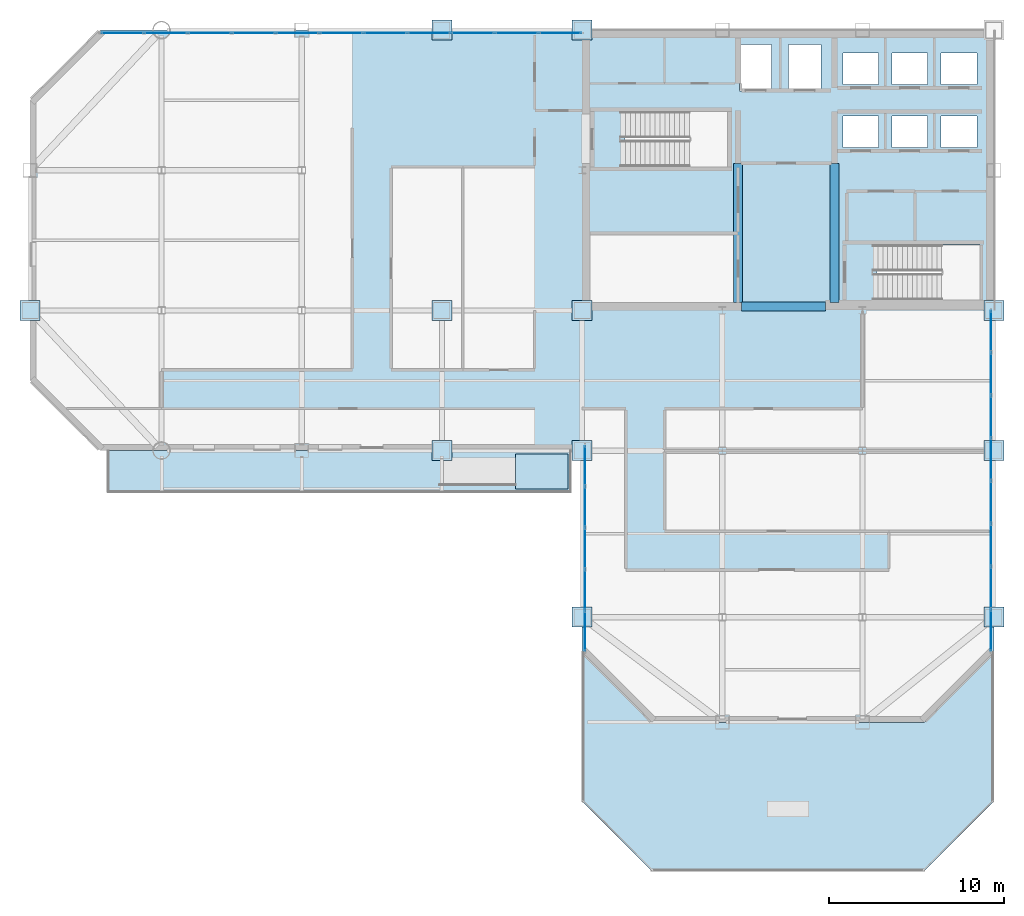
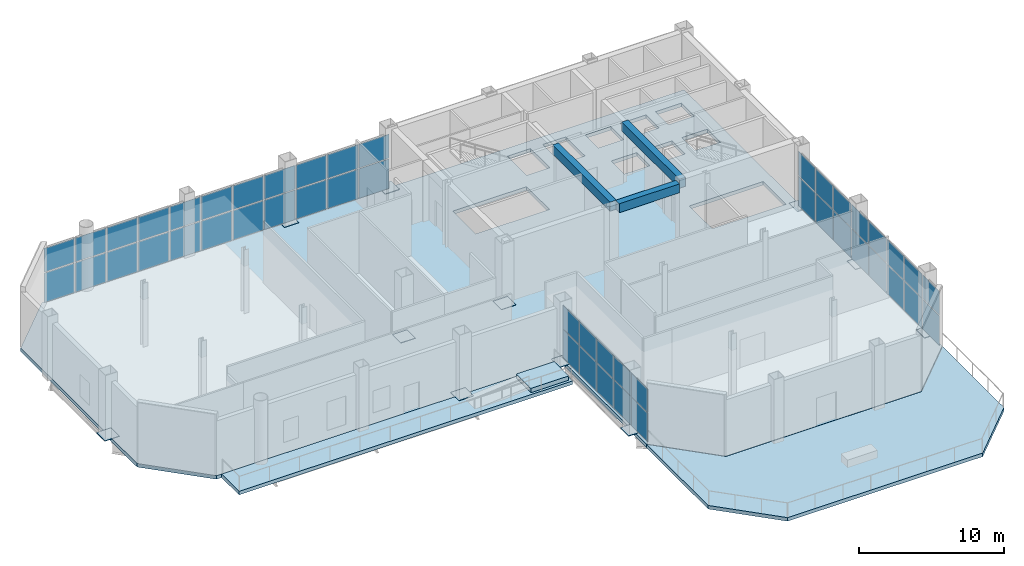
# One storey, part 16 of 21: 59 plates, 4 slabs, 3 beams, 4 elements without a shape of their own.
"""IFC4 building model written with IfcOpenShell, lengths in metres."""

from ifc_helpers import new_model, si_unit, direction, frame, origin, origin_2d, place, context, subcontext, project, spatial, polyline, rectangle, outline, extrude, material, layer, layer_set, material_profile, profile_set, type_object, element, aggregate, save


model = new_model("IFC4")

# Units and contexts
model_context = context("Model", 3, precision=1e-05, world=origin(), true_north=direction((0.0, 1.0)))
body_context = subcontext(model_context, "Body", "Model", "MODEL_VIEW")
ifc_project = project(units=[si_unit("LENGTHUNIT", "METRE"), si_unit("AREAUNIT", "SQUARE_METRE"), si_unit("VOLUMEUNIT", "CUBIC_METRE"), si_unit("PLANEANGLEUNIT", "RADIAN"), si_unit("MASSUNIT", "GRAM", prefix="KILO")], contexts=[model_context])

# Site, building, storey
site_placement = place(None, origin())
site = spatial("IfcSite", under=ifc_project, at=site_placement, CompositionType="ELEMENT")
building_placement = place(site_placement, origin())
building = spatial("IfcBuilding", under=site, at=building_placement, Name="Qianrong Seaharbour Tower", CompositionType="ELEMENT")
storey_placement = place(building_placement, frame((0.0, 0.0, 200.39990234375)))
storey = spatial("IfcBuildingStorey", under=building, at=storey_placement, Name="L48", CompositionType="ELEMENT", Elevation=200.39990234375)

# Beams
ifc_material_1 = material(Name="Concrete C60/75", Category="concrete")
ifc_material_profile = material_profile(ifc_material_1, rectangle(XDim=0.5, YDim=0.75, at=origin_2d()), Name="RC500x750")
ifc_profile_set = profile_set([ifc_material_profile], Name="Concrete C60/75")
beam_type = type_object("IfcBeamType", Name="BM-LINTEL-750", PredefinedType="LINTEL", material=ifc_profile_set)
beam_placement = place(storey_placement, frame((49.60009765625, 36.22998046875, 4.800048828125), z_axis=(1.0, 0.0, 0.0), x_axis=(0.0, 1.0, 0.0)))
element("IfcBeam", 1, at=beam_placement, inside=storey, type_object=beam_type, Name="L48 Core Coupling Lintel Beam CBC", PredefinedType="LINTEL", context=body_context, shape_type="SweptSolid", body=[
    extrude(rectangle(XDim=0.5, YDim=0.75, at=origin_2d()), origin(), (0.0, 0.0, 1.0), 4.7998046875),
])
for number, where, z_axis, x_axis, name in (
    (2, (49.39990234375, 36.4599609375, 4.800048828125), (0.0, 1.0, 0.0), (-1.0, 0.0, 0.0), "L48 Internal Core Coupling Beam IW1"),
    (3, (54.89990234375, 36.4599609375, 4.800048828125), (0.0, 1.0, 0.0), (-1.0, 0.0, 0.0), "L48 Internal Core Coupling Beam IW2"),
):
    element("IfcBeam", number, at=place(storey_placement, frame(where, z_axis=z_axis, x_axis=x_axis)), inside=storey, type_object=beam_type, Name=name, PredefinedType="LINTEL", context=body_context, shape_type="SweptSolid", body=[
        extrude(rectangle(XDim=0.5, YDim=0.75, at=origin_2d()), origin(), (0.0, 0.0, 1.0), 7.93994140625),
    ])

# Curtain wall, plates
ifc_material_2 = material(Name="Anodised aluminium 6063-T6 and laminated low-e glass", Category="aluminium")
ifc_layer_1 = layer(ifc_material_2, 0.2099609375)
ifc_layer_set_1 = layer_set([ifc_layer_1], Name="Anodised aluminium 6063-T6 and laminated low-e glass")
curtain_wall_type = type_object("IfcCurtainWallType", Name="CW-SYS-2", PredefinedType="NOTDEFINED", material=ifc_layer_set_1)
curtain_wall_1_placement = place(storey_placement, origin())
curtain_wall_1 = element("IfcCurtainWall", 4, at=curtain_wall_1_placement, inside=storey, type_object=curtain_wall_type, Name="L48 Sky-Lobby Feature Curtain Wall REENTRANT_WEST", PredefinedType="NOTDEFINED")
ifc_material_3 = material(Name="Laminated solar-control low-e glass", Category="glass")
ifc_layer_2 = layer(ifc_material_3, 0.031982421875)
ifc_layer_set_2 = layer_set([ifc_layer_2], Name="Laminated solar-control low-e glass")
plate_type_1 = type_object("IfcPlateType", Name="CW-PAN-VISION-32", PredefinedType="CURTAIN_PANEL", material=ifc_layer_set_2)
plate_1_placement = place(storey_placement, frame((40.669921875, 17.7041015625, 0.0703125), z_axis=(0.0, 0.0, 1.0), x_axis=(0.0, 1.0, 0.0)))
plate_1 = element("IfcPlate", 5, at=plate_1_placement, type_object=plate_type_1, Name="CW-2 panel 1.1", PredefinedType="CURTAIN_PANEL", context=body_context, shape_type="SweptSolid", body=[
    extrude(rectangle(XDim=2.248046875, YDim=0.031982421875, at=origin_2d()), origin(), (0.0, 0.0, 1.0), 2.395751953125),
])
plate_2_placement = place(storey_placement, frame((40.669921875, 17.7041015625, 2.5361328125), z_axis=(0.0, 0.0, 1.0), x_axis=(0.0, 1.0, 0.0)))
plate_2 = element("IfcPlate", 6, at=plate_2_placement, type_object=plate_type_1, Name="CW-2 panel 1.2", PredefinedType="CURTAIN_PANEL", context=body_context, shape_type="SweptSolid", body=[
    extrude(rectangle(XDim=2.248046875, YDim=0.031982421875, at=origin_2d()), origin(), (0.0, 0.0, 1.0), 1.941162109375),
])
plate_3_placement = place(storey_placement, frame((40.669921875, 20.052001953125, 0.0703125), z_axis=(0.0, 0.0, 1.0), x_axis=(0.0, 1.0, 0.0)))
plate_3 = element("IfcPlate", 7, at=plate_3_placement, type_object=plate_type_1, Name="CW-2 panel 2.1", PredefinedType="CURTAIN_PANEL", context=body_context, shape_type="SweptSolid", body=[
    extrude(rectangle(XDim=2.2880859375, YDim=0.031982421875, at=origin_2d()), origin(), (0.0, 0.0, 1.0), 2.395751953125),
])
plate_4_placement = place(storey_placement, frame((40.669921875, 20.052001953125, 2.5361328125), z_axis=(0.0, 0.0, 1.0), x_axis=(0.0, 1.0, 0.0)))
plate_4 = element("IfcPlate", 8, at=plate_4_placement, type_object=plate_type_1, Name="CW-2 panel 2.2", PredefinedType="CURTAIN_PANEL", context=body_context, shape_type="SweptSolid", body=[
    extrude(rectangle(XDim=2.2880859375, YDim=0.031982421875, at=origin_2d()), origin(), (0.0, 0.0, 1.0), 1.941162109375),
])
plate_5_placement = place(storey_placement, frame((40.669921875, 22.419921875, 0.0703125), z_axis=(0.0, 0.0, 1.0), x_axis=(0.0, 1.0, 0.0)))
plate_5 = element("IfcPlate", 9, at=plate_5_placement, type_object=plate_type_1, Name="CW-2 panel 3.1", PredefinedType="CURTAIN_PANEL", context=body_context, shape_type="SweptSolid", body=[
    extrude(rectangle(XDim=2.2880859375, YDim=0.031982421875, at=origin_2d()), origin(), (0.0, 0.0, 1.0), 2.395751953125),
])
plate_6_placement = place(storey_placement, frame((40.669921875, 22.419921875, 2.5361328125), z_axis=(0.0, 0.0, 1.0), x_axis=(0.0, 1.0, 0.0)))
plate_6 = element("IfcPlate", 10, at=plate_6_placement, type_object=plate_type_1, Name="CW-2 panel 3.2", PredefinedType="CURTAIN_PANEL", context=body_context, shape_type="SweptSolid", body=[
    extrude(rectangle(XDim=2.2880859375, YDim=0.031982421875, at=origin_2d()), origin(), (0.0, 0.0, 1.0), 1.941162109375),
])
plate_7_placement = place(storey_placement, frame((40.669921875, 24.7880859375, 0.0703125), z_axis=(0.0, 0.0, 1.0), x_axis=(0.0, 1.0, 0.0)))
plate_7 = element("IfcPlate", 11, at=plate_7_placement, type_object=plate_type_1, Name="CW-2 panel 4.1", PredefinedType="CURTAIN_PANEL", context=body_context, shape_type="SweptSolid", body=[
    extrude(rectangle(XDim=2.2880859375, YDim=0.031982421875, at=origin_2d()), origin(), (0.0, 0.0, 1.0), 2.395751953125),
])
plate_8_placement = place(storey_placement, frame((40.669921875, 24.7880859375, 2.5361328125), z_axis=(0.0, 0.0, 1.0), x_axis=(0.0, 1.0, 0.0)))
plate_8 = element("IfcPlate", 12, at=plate_8_placement, type_object=plate_type_1, Name="CW-2 panel 4.2", PredefinedType="CURTAIN_PANEL", context=body_context, shape_type="SweptSolid", body=[
    extrude(rectangle(XDim=2.2880859375, YDim=0.031982421875, at=origin_2d()), origin(), (0.0, 0.0, 1.0), 1.941162109375),
])
plate_9_placement = place(storey_placement, frame((40.669921875, 27.135986328125, 0.0703125), z_axis=(0.0, 0.0, 1.0), x_axis=(0.0, 1.0, 0.0)))
plate_9 = element("IfcPlate", 13, at=plate_9_placement, type_object=plate_type_1, Name="CW-2 panel 5.1", PredefinedType="CURTAIN_PANEL", context=body_context, shape_type="SweptSolid", body=[
    extrude(rectangle(XDim=2.248046875, YDim=0.031982421875, at=origin_2d()), origin(), (0.0, 0.0, 1.0), 2.395751953125),
])
plate_10_placement = place(storey_placement, frame((40.669921875, 27.135986328125, 2.5361328125), z_axis=(0.0, 0.0, 1.0), x_axis=(0.0, 1.0, 0.0)))
plate_10 = element("IfcPlate", 14, at=plate_10_placement, type_object=plate_type_1, Name="CW-2 panel 5.2", PredefinedType="CURTAIN_PANEL", context=body_context, shape_type="SweptSolid", body=[
    extrude(rectangle(XDim=2.248046875, YDim=0.031982421875, at=origin_2d()), origin(), (0.0, 0.0, 1.0), 1.941162109375),
])
aggregate(curtain_wall_1, [plate_1, plate_2, plate_3, plate_4, plate_5, plate_6, plate_7, plate_8, plate_9, plate_10])

curtain_wall_2_placement = place(storey_placement, origin())
curtain_wall_2 = element("IfcCurtainWall", 15, at=curtain_wall_2_placement, inside=storey, type_object=curtain_wall_type, Name="L48 Sky-Lobby Feature Curtain Wall NORTH_WING", PredefinedType="NOTDEFINED")
plate_11_placement = place(storey_placement, frame((14.27099609375, 51.830078125, 0.070068359375), z_axis=(0.0, 0.0, 1.0), x_axis=(1.0, 0.0, 0.0)))
plate_11 = element("IfcPlate", 16, at=plate_11_placement, type_object=plate_type_1, Name="CW-2 panel 1.1", PredefinedType="CURTAIN_PANEL", context=body_context, shape_type="SweptSolid", body=[
    extrude(rectangle(XDim=2.3818359375, YDim=0.031982421875, at=origin_2d()), origin(), (0.0, 0.0, 1.0), 2.4716796875),
])
plate_12_placement = place(storey_placement, frame((14.27099609375, 51.830078125, 2.61181640625), z_axis=(0.0, 0.0, 1.0), x_axis=(1.0, 0.0, 0.0)))
plate_12 = element("IfcPlate", 17, at=plate_12_placement, type_object=plate_type_1, Name="CW-2 panel 1.2", PredefinedType="CURTAIN_PANEL", context=body_context, shape_type="SweptSolid", body=[
    extrude(rectangle(XDim=2.3818359375, YDim=0.031982421875, at=origin_2d()), origin(), (0.0, 0.0, 1.0), 2.003173828125),
])
plate_13_placement = place(storey_placement, frame((16.752685546875, 51.830078125, 0.070068359375), z_axis=(0.0, 0.0, 1.0), x_axis=(1.0, 0.0, 0.0)))
plate_13 = element("IfcPlate", 18, at=plate_13_placement, type_object=plate_type_1, Name="CW-2 panel 2.1", PredefinedType="CURTAIN_PANEL", context=body_context, shape_type="SweptSolid", body=[
    extrude(rectangle(XDim=2.421875, YDim=0.031982421875, at=origin_2d()), origin(), (0.0, 0.0, 1.0), 2.4716796875),
])
plate_14_placement = place(storey_placement, frame((16.752685546875, 51.830078125, 2.61181640625), z_axis=(0.0, 0.0, 1.0), x_axis=(1.0, 0.0, 0.0)))
plate_14 = element("IfcPlate", 19, at=plate_14_placement, type_object=plate_type_1, Name="CW-2 panel 2.2", PredefinedType="CURTAIN_PANEL", context=body_context, shape_type="SweptSolid", body=[
    extrude(rectangle(XDim=2.421875, YDim=0.031982421875, at=origin_2d()), origin(), (0.0, 0.0, 1.0), 2.003173828125),
])
plate_15_placement = place(storey_placement, frame((19.254638671875, 51.830078125, 0.070068359375), z_axis=(0.0, 0.0, 1.0), x_axis=(1.0, 0.0, 0.0)))
plate_15 = element("IfcPlate", 20, at=plate_15_placement, type_object=plate_type_1, Name="CW-2 panel 3.1", PredefinedType="CURTAIN_PANEL", context=body_context, shape_type="SweptSolid", body=[
    extrude(rectangle(XDim=2.421875, YDim=0.031982421875, at=origin_2d()), origin(), (0.0, 0.0, 1.0), 2.4716796875),
])
plate_16_placement = place(storey_placement, frame((19.254638671875, 51.830078125, 2.61181640625), z_axis=(0.0, 0.0, 1.0), x_axis=(1.0, 0.0, 0.0)))
plate_16 = element("IfcPlate", 21, at=plate_16_placement, type_object=plate_type_1, Name="CW-2 panel 3.2", PredefinedType="CURTAIN_PANEL", context=body_context, shape_type="SweptSolid", body=[
    extrude(rectangle(XDim=2.421875, YDim=0.031982421875, at=origin_2d()), origin(), (0.0, 0.0, 1.0), 2.003173828125),
])
plate_17_placement = place(storey_placement, frame((21.75634765625, 51.830078125, 0.070068359375), z_axis=(0.0, 0.0, 1.0), x_axis=(1.0, 0.0, 0.0)))
plate_17 = element("IfcPlate", 22, at=plate_17_placement, type_object=plate_type_1, Name="CW-2 panel 4.1", PredefinedType="CURTAIN_PANEL", context=body_context, shape_type="SweptSolid", body=[
    extrude(rectangle(XDim=2.421875, YDim=0.031982421875, at=origin_2d()), origin(), (0.0, 0.0, 1.0), 2.4716796875),
])
plate_18_placement = place(storey_placement, frame((21.75634765625, 51.830078125, 2.61181640625), z_axis=(0.0, 0.0, 1.0), x_axis=(1.0, 0.0, 0.0)))
plate_18 = element("IfcPlate", 23, at=plate_18_placement, type_object=plate_type_1, Name="CW-2 panel 4.2", PredefinedType="CURTAIN_PANEL", context=body_context, shape_type="SweptSolid", body=[
    extrude(rectangle(XDim=2.421875, YDim=0.031982421875, at=origin_2d()), origin(), (0.0, 0.0, 1.0), 2.003173828125),
])
plate_19_placement = place(storey_placement, frame((24.25830078125, 51.830078125, 0.070068359375), z_axis=(0.0, 0.0, 1.0), x_axis=(1.0, 0.0, 0.0)))
plate_19 = element("IfcPlate", 24, at=plate_19_placement, type_object=plate_type_1, Name="CW-2 panel 5.1", PredefinedType="CURTAIN_PANEL", context=body_context, shape_type="SweptSolid", body=[
    extrude(rectangle(XDim=2.421875, YDim=0.031982421875, at=origin_2d()), origin(), (0.0, 0.0, 1.0), 2.4716796875),
])
plate_20_placement = place(storey_placement, frame((24.25830078125, 51.830078125, 2.61181640625), z_axis=(0.0, 0.0, 1.0), x_axis=(1.0, 0.0, 0.0)))
plate_20 = element("IfcPlate", 25, at=plate_20_placement, type_object=plate_type_1, Name="CW-2 panel 5.2", PredefinedType="CURTAIN_PANEL", context=body_context, shape_type="SweptSolid", body=[
    extrude(rectangle(XDim=2.421875, YDim=0.031982421875, at=origin_2d()), origin(), (0.0, 0.0, 1.0), 2.003173828125),
])
plate_21_placement = place(storey_placement, frame((26.760009765625, 51.830078125, 0.070068359375), z_axis=(0.0, 0.0, 1.0), x_axis=(1.0, 0.0, 0.0)))
plate_21 = element("IfcPlate", 26, at=plate_21_placement, type_object=plate_type_1, Name="CW-2 panel 6.1", PredefinedType="CURTAIN_PANEL", context=body_context, shape_type="SweptSolid", body=[
    extrude(rectangle(XDim=2.421875, YDim=0.031982421875, at=origin_2d()), origin(), (0.0, 0.0, 1.0), 2.4716796875),
])
plate_22_placement = place(storey_placement, frame((26.760009765625, 51.830078125, 2.61181640625), z_axis=(0.0, 0.0, 1.0), x_axis=(1.0, 0.0, 0.0)))
plate_22 = element("IfcPlate", 27, at=plate_22_placement, type_object=plate_type_1, Name="CW-2 panel 6.2", PredefinedType="CURTAIN_PANEL", context=body_context, shape_type="SweptSolid", body=[
    extrude(rectangle(XDim=2.421875, YDim=0.031982421875, at=origin_2d()), origin(), (0.0, 0.0, 1.0), 2.003173828125),
])
plate_23_placement = place(storey_placement, frame((29.26171875, 51.830078125, 0.070068359375), z_axis=(0.0, 0.0, 1.0), x_axis=(1.0, 0.0, 0.0)))
plate_23 = element("IfcPlate", 28, at=plate_23_placement, type_object=plate_type_1, Name="CW-2 panel 7.1", PredefinedType="CURTAIN_PANEL", context=body_context, shape_type="SweptSolid", body=[
    extrude(rectangle(XDim=2.421875, YDim=0.031982421875, at=origin_2d()), origin(), (0.0, 0.0, 1.0), 2.4716796875),
])
plate_24_placement = place(storey_placement, frame((29.26171875, 51.830078125, 2.61181640625), z_axis=(0.0, 0.0, 1.0), x_axis=(1.0, 0.0, 0.0)))
plate_24 = element("IfcPlate", 29, at=plate_24_placement, type_object=plate_type_1, Name="CW-2 panel 7.2", PredefinedType="CURTAIN_PANEL", context=body_context, shape_type="SweptSolid", body=[
    extrude(rectangle(XDim=2.421875, YDim=0.031982421875, at=origin_2d()), origin(), (0.0, 0.0, 1.0), 2.003173828125),
])
plate_25_placement = place(storey_placement, frame((31.763671875, 51.830078125, 0.070068359375), z_axis=(0.0, 0.0, 1.0), x_axis=(1.0, 0.0, 0.0)))
plate_25 = element("IfcPlate", 30, at=plate_25_placement, type_object=plate_type_1, Name="CW-2 panel 8.1", PredefinedType="CURTAIN_PANEL", context=body_context, shape_type="SweptSolid", body=[
    extrude(rectangle(XDim=2.421875, YDim=0.031982421875, at=origin_2d()), origin(), (0.0, 0.0, 1.0), 2.4716796875),
])
plate_26_placement = place(storey_placement, frame((31.763671875, 51.830078125, 2.61181640625), z_axis=(0.0, 0.0, 1.0), x_axis=(1.0, 0.0, 0.0)))
plate_26 = element("IfcPlate", 31, at=plate_26_placement, type_object=plate_type_1, Name="CW-2 panel 8.2", PredefinedType="CURTAIN_PANEL", context=body_context, shape_type="SweptSolid", body=[
    extrude(rectangle(XDim=2.421875, YDim=0.031982421875, at=origin_2d()), origin(), (0.0, 0.0, 1.0), 2.003173828125),
])
plate_27_placement = place(storey_placement, frame((34.265380859375, 51.830078125, 0.070068359375), z_axis=(0.0, 0.0, 1.0), x_axis=(1.0, 0.0, 0.0)))
plate_27 = element("IfcPlate", 32, at=plate_27_placement, type_object=plate_type_1, Name="CW-2 panel 9.1", PredefinedType="CURTAIN_PANEL", context=body_context, shape_type="SweptSolid", body=[
    extrude(rectangle(XDim=2.421875, YDim=0.031982421875, at=origin_2d()), origin(), (0.0, 0.0, 1.0), 2.4716796875),
])
plate_28_placement = place(storey_placement, frame((34.265380859375, 51.830078125, 2.61181640625), z_axis=(0.0, 0.0, 1.0), x_axis=(1.0, 0.0, 0.0)))
plate_28 = element("IfcPlate", 33, at=plate_28_placement, type_object=plate_type_1, Name="CW-2 panel 9.2", PredefinedType="CURTAIN_PANEL", context=body_context, shape_type="SweptSolid", body=[
    extrude(rectangle(XDim=2.421875, YDim=0.031982421875, at=origin_2d()), origin(), (0.0, 0.0, 1.0), 2.003173828125),
])
plate_29_placement = place(storey_placement, frame((36.767333984375, 51.830078125, 0.070068359375), z_axis=(0.0, 0.0, 1.0), x_axis=(1.0, 0.0, 0.0)))
plate_29 = element("IfcPlate", 34, at=plate_29_placement, type_object=plate_type_1, Name="CW-2 panel 10.1", PredefinedType="CURTAIN_PANEL", context=body_context, shape_type="SweptSolid", body=[
    extrude(rectangle(XDim=2.421875, YDim=0.031982421875, at=origin_2d()), origin(), (0.0, 0.0, 1.0), 2.4716796875),
])
plate_30_placement = place(storey_placement, frame((36.767333984375, 51.830078125, 2.61181640625), z_axis=(0.0, 0.0, 1.0), x_axis=(1.0, 0.0, 0.0)))
plate_30 = element("IfcPlate", 35, at=plate_30_placement, type_object=plate_type_1, Name="CW-2 panel 10.2", PredefinedType="CURTAIN_PANEL", context=body_context, shape_type="SweptSolid", body=[
    extrude(rectangle(XDim=2.421875, YDim=0.031982421875, at=origin_2d()), origin(), (0.0, 0.0, 1.0), 2.003173828125),
])
plate_31_placement = place(storey_placement, frame((39.2490234375, 51.830078125, 0.070068359375), z_axis=(0.0, 0.0, 1.0), x_axis=(1.0, 0.0, 0.0)))
plate_31 = element("IfcPlate", 36, at=plate_31_placement, type_object=plate_type_1, Name="CW-2 panel 11.1", PredefinedType="CURTAIN_PANEL", context=body_context, shape_type="SweptSolid", body=[
    extrude(rectangle(XDim=2.3818359375, YDim=0.031982421875, at=origin_2d()), origin(), (0.0, 0.0, 1.0), 2.4716796875),
])
plate_32_placement = place(storey_placement, frame((39.2490234375, 51.830078125, 2.61181640625), z_axis=(0.0, 0.0, 1.0), x_axis=(1.0, 0.0, 0.0)))
plate_32 = element("IfcPlate", 37, at=plate_32_placement, type_object=plate_type_1, Name="CW-2 panel 11.2", PredefinedType="CURTAIN_PANEL", context=body_context, shape_type="SweptSolid", body=[
    extrude(rectangle(XDim=2.3818359375, YDim=0.031982421875, at=origin_2d()), origin(), (0.0, 0.0, 1.0), 2.003173828125),
])
aggregate(curtain_wall_2, [plate_11, plate_12, plate_13, plate_14, plate_15, plate_16, plate_17, plate_18, plate_19, plate_20, plate_21, plate_22, plate_23, plate_24, plate_25, plate_26, plate_27, plate_28, plate_29, plate_30, plate_31, plate_32])

curtain_wall_3_placement = place(storey_placement, origin())
curtain_wall_3 = element("IfcCurtainWall", 38, at=curtain_wall_3_placement, inside=storey, type_object=curtain_wall_type, Name="L48 Sky-Lobby Feature Curtain Wall EAST_WING", PredefinedType="NOTDEFINED")
plate_33_placement = place(storey_placement, frame((63.830078125, 34.80810546875, 0.070068359375), z_axis=(0.0, 0.0, 1.0), x_axis=(0.0, -1.0, 0.0)))
plate_33 = element("IfcPlate", 39, at=plate_33_placement, type_object=plate_type_1, Name="CW-2 panel 1.1", PredefinedType="CURTAIN_PANEL", context=body_context, shape_type="SweptSolid", body=[
    extrude(rectangle(XDim=2.32373046875, YDim=0.031982421875, at=origin_2d()), origin(), (0.0, 0.0, 1.0), 2.4716796875),
])
plate_34_placement = place(storey_placement, frame((63.830078125, 34.80810546875, 2.61181640625), z_axis=(0.0, 0.0, 1.0), x_axis=(0.0, -1.0, 0.0)))
plate_34 = element("IfcPlate", 40, at=plate_34_placement, type_object=plate_type_1, Name="CW-2 panel 1.2", PredefinedType="CURTAIN_PANEL", context=body_context, shape_type="SweptSolid", body=[
    extrude(rectangle(XDim=2.32373046875, YDim=0.031982421875, at=origin_2d()), origin(), (0.0, 0.0, 1.0), 2.003173828125),
])
plate_35_placement = place(storey_placement, frame((63.830078125, 32.38427734375, 0.070068359375), z_axis=(0.0, 0.0, 1.0), x_axis=(0.0, -1.0, 0.0)))
plate_35 = element("IfcPlate", 41, at=plate_35_placement, type_object=plate_type_1, Name="CW-2 panel 2.1", PredefinedType="CURTAIN_PANEL", context=body_context, shape_type="SweptSolid", body=[
    extrude(rectangle(XDim=2.36376953125, YDim=0.031982421875, at=origin_2d()), origin(), (0.0, 0.0, 1.0), 2.4716796875),
])
plate_36_placement = place(storey_placement, frame((63.830078125, 32.38427734375, 2.61181640625), z_axis=(0.0, 0.0, 1.0), x_axis=(0.0, -1.0, 0.0)))
plate_36 = element("IfcPlate", 42, at=plate_36_placement, type_object=plate_type_1, Name="CW-2 panel 2.2", PredefinedType="CURTAIN_PANEL", context=body_context, shape_type="SweptSolid", body=[
    extrude(rectangle(XDim=2.36376953125, YDim=0.031982421875, at=origin_2d()), origin(), (0.0, 0.0, 1.0), 2.003173828125),
])
plate_37_placement = place(storey_placement, frame((63.830078125, 29.940673828125, 0.070068359375), z_axis=(0.0, 0.0, 1.0), x_axis=(0.0, -1.0, 0.0)))
plate_37 = element("IfcPlate", 43, at=plate_37_placement, type_object=plate_type_1, Name="CW-2 panel 3.1", PredefinedType="CURTAIN_PANEL", context=body_context, shape_type="SweptSolid", body=[
    extrude(rectangle(XDim=2.36376953125, YDim=0.031982421875, at=origin_2d()), origin(), (0.0, 0.0, 1.0), 2.4716796875),
])
plate_38_placement = place(storey_placement, frame((63.830078125, 29.940673828125, 2.61181640625), z_axis=(0.0, 0.0, 1.0), x_axis=(0.0, -1.0, 0.0)))
plate_38 = element("IfcPlate", 44, at=plate_38_placement, type_object=plate_type_1, Name="CW-2 panel 3.2", PredefinedType="CURTAIN_PANEL", context=body_context, shape_type="SweptSolid", body=[
    extrude(rectangle(XDim=2.36376953125, YDim=0.031982421875, at=origin_2d()), origin(), (0.0, 0.0, 1.0), 2.003173828125),
])
plate_39_placement = place(storey_placement, frame((63.830078125, 27.496826171875, 0.070068359375), z_axis=(0.0, 0.0, 1.0), x_axis=(0.0, -1.0, 0.0)))
plate_39 = element("IfcPlate", 45, at=plate_39_placement, type_object=plate_type_1, Name="CW-2 panel 4.1", PredefinedType="CURTAIN_PANEL", context=body_context, shape_type="SweptSolid", body=[
    extrude(rectangle(XDim=2.36376953125, YDim=0.031982421875, at=origin_2d()), origin(), (0.0, 0.0, 1.0), 2.4716796875),
])
plate_40_placement = place(storey_placement, frame((63.830078125, 27.496826171875, 2.61181640625), z_axis=(0.0, 0.0, 1.0), x_axis=(0.0, -1.0, 0.0)))
plate_40 = element("IfcPlate", 46, at=plate_40_placement, type_object=plate_type_1, Name="CW-2 panel 4.2", PredefinedType="CURTAIN_PANEL", context=body_context, shape_type="SweptSolid", body=[
    extrude(rectangle(XDim=2.36376953125, YDim=0.031982421875, at=origin_2d()), origin(), (0.0, 0.0, 1.0), 2.003173828125),
])
plate_41_placement = place(storey_placement, frame((63.830078125, 25.05322265625, 0.070068359375), z_axis=(0.0, 0.0, 1.0), x_axis=(0.0, -1.0, 0.0)))
plate_41 = element("IfcPlate", 47, at=plate_41_placement, type_object=plate_type_1, Name="CW-2 panel 5.1", PredefinedType="CURTAIN_PANEL", context=body_context, shape_type="SweptSolid", body=[
    extrude(rectangle(XDim=2.36376953125, YDim=0.031982421875, at=origin_2d()), origin(), (0.0, 0.0, 1.0), 2.4716796875),
])
plate_42_placement = place(storey_placement, frame((63.830078125, 25.05322265625, 2.61181640625), z_axis=(0.0, 0.0, 1.0), x_axis=(0.0, -1.0, 0.0)))
plate_42 = element("IfcPlate", 48, at=plate_42_placement, type_object=plate_type_1, Name="CW-2 panel 5.2", PredefinedType="CURTAIN_PANEL", context=body_context, shape_type="SweptSolid", body=[
    extrude(rectangle(XDim=2.36376953125, YDim=0.031982421875, at=origin_2d()), origin(), (0.0, 0.0, 1.0), 2.003173828125),
])
plate_43_placement = place(storey_placement, frame((63.830078125, 22.609375, 0.070068359375), z_axis=(0.0, 0.0, 1.0), x_axis=(0.0, -1.0, 0.0)))
plate_43 = element("IfcPlate", 49, at=plate_43_placement, type_object=plate_type_1, Name="CW-2 panel 6.1", PredefinedType="CURTAIN_PANEL", context=body_context, shape_type="SweptSolid", body=[
    extrude(rectangle(XDim=2.36376953125, YDim=0.031982421875, at=origin_2d()), origin(), (0.0, 0.0, 1.0), 2.4716796875),
])
plate_44_placement = place(storey_placement, frame((63.830078125, 22.609375, 2.61181640625), z_axis=(0.0, 0.0, 1.0), x_axis=(0.0, -1.0, 0.0)))
plate_44 = element("IfcPlate", 50, at=plate_44_placement, type_object=plate_type_1, Name="CW-2 panel 6.2", PredefinedType="CURTAIN_PANEL", context=body_context, shape_type="SweptSolid", body=[
    extrude(rectangle(XDim=2.36376953125, YDim=0.031982421875, at=origin_2d()), origin(), (0.0, 0.0, 1.0), 2.003173828125),
])
plate_45_placement = place(storey_placement, frame((63.830078125, 20.16552734375, 0.070068359375), z_axis=(0.0, 0.0, 1.0), x_axis=(0.0, -1.0, 0.0)))
plate_45 = element("IfcPlate", 51, at=plate_45_placement, type_object=plate_type_1, Name="CW-2 panel 7.1", PredefinedType="CURTAIN_PANEL", context=body_context, shape_type="SweptSolid", body=[
    extrude(rectangle(XDim=2.36376953125, YDim=0.031982421875, at=origin_2d()), origin(), (0.0, 0.0, 1.0), 2.4716796875),
])
plate_46_placement = place(storey_placement, frame((63.830078125, 20.16552734375, 2.61181640625), z_axis=(0.0, 0.0, 1.0), x_axis=(0.0, -1.0, 0.0)))
plate_46 = element("IfcPlate", 52, at=plate_46_placement, type_object=plate_type_1, Name="CW-2 panel 7.2", PredefinedType="CURTAIN_PANEL", context=body_context, shape_type="SweptSolid", body=[
    extrude(rectangle(XDim=2.36376953125, YDim=0.031982421875, at=origin_2d()), origin(), (0.0, 0.0, 1.0), 2.003173828125),
])
plate_47_placement = place(storey_placement, frame((63.830078125, 17.741943359375, 0.070068359375), z_axis=(0.0, 0.0, 1.0), x_axis=(0.0, -1.0, 0.0)))
plate_47 = element("IfcPlate", 53, at=plate_47_placement, type_object=plate_type_1, Name="CW-2 panel 8.1", PredefinedType="CURTAIN_PANEL", context=body_context, shape_type="SweptSolid", body=[
    extrude(rectangle(XDim=2.32373046875, YDim=0.031982421875, at=origin_2d()), origin(), (0.0, 0.0, 1.0), 2.4716796875),
])
plate_48_placement = place(storey_placement, frame((63.830078125, 17.741943359375, 2.61181640625), z_axis=(0.0, 0.0, 1.0), x_axis=(0.0, -1.0, 0.0)))
plate_48 = element("IfcPlate", 54, at=plate_48_placement, type_object=plate_type_1, Name="CW-2 panel 8.2", PredefinedType="CURTAIN_PANEL", context=body_context, shape_type="SweptSolid", body=[
    extrude(rectangle(XDim=2.32373046875, YDim=0.031982421875, at=origin_2d()), origin(), (0.0, 0.0, 1.0), 2.003173828125),
])
aggregate(curtain_wall_3, [plate_33, plate_34, plate_35, plate_36, plate_37, plate_38, plate_39, plate_40, plate_41, plate_42, plate_43, plate_44, plate_45, plate_46, plate_47, plate_48])

# Plates
ifc_material_4 = material(Name="Structural steel SN490B", Category="steel")
ifc_layer_3 = layer(ifc_material_4, 0.044921875)
ifc_layer_set_3 = layer_set([ifc_layer_3], Name="Structural steel SN490B")
plate_type_2 = type_object("IfcPlateType", Name="PLT-COL-CAP-45", PredefinedType="SHEET", material=ifc_layer_set_3)
for number, where, z_axis, x_axis, name in (
    (55, (9.0, 36.0, -0.0224609375), (0.0, 0.0, 1.0), (1.0, 0.0, 0.0), "L48 Column Splice Cap Plate G2/GF"),
    (56, (32.5, 28.0, -0.0224609375), (0.0, 0.0, 1.0), (1.0, 0.0, 0.0), "L48 Column Splice Cap Plate G5/GE"),
    (57, (32.5, 36.0, -0.0224609375), (0.0, 0.0, 1.0), (1.0, 0.0, 0.0), "L48 Column Splice Cap Plate G5/GF"),
    (58, (32.5, 52.0, -0.0224609375), (0.0, 0.0, 1.0), (1.0, 0.0, 0.0), "L48 Column Splice Cap Plate G5/GH"),
    (59, (40.5, 18.5, -0.0224609375), (0.0, 0.0, 1.0), (1.0, 0.0, 0.0), "L48 Column Splice Cap Plate G6/GD"),
    (60, (40.5, 28.0, -0.0224609375), (0.0, 0.0, 1.0), (1.0, 0.0, 0.0), "L48 Column Splice Cap Plate G6/GE"),
    (61, (40.5, 36.0, -0.0224609375), (0.0, 0.0, 1.0), (1.0, 0.0, 0.0), "L48 Column Splice Cap Plate G6/GF"),
    (62, (40.5, 52.0, -0.0224609375), (0.0, 0.0, 1.0), (1.0, 0.0, 0.0), "L48 Column Splice Cap Plate G6/GH"),
    (63, (64.0, 18.5, -0.0224609375), (0.0, 0.0, 1.0), (1.0, 0.0, 0.0), "L48 Column Splice Cap Plate G9/GD"),
    (64, (64.0, 28.0, -0.0224609375), (0.0, 0.0, 1.0), (1.0, 0.0, 0.0), "L48 Column Splice Cap Plate G9/GE"),
    (65, (64.0, 36.0, -0.0224609375), (0.0, 0.0, 1.0), (1.0, 0.0, 0.0), "L48 Column Splice Cap Plate G9/GF"),
):
    element("IfcPlate", number, at=place(storey_placement, frame(where, z_axis=z_axis, x_axis=x_axis)), inside=storey, type_object=plate_type_2, Name=name, PredefinedType="SHEET", context=body_context, shape_type="SweptSolid", body=[
        extrude(rectangle(XDim=1.14990234375, YDim=1.14990234375, at=origin_2d()), origin(), (0.0, 0.0, 1.0), 0.044921875),
    ])

# Ramp, slab
ifc_material_5 = material(Name="White architectural precast concrete C45/55", Category="concrete")
ramp_type = type_object("IfcRampType", Name="RAMP-RIBBON-GARDEN", PredefinedType="STRAIGHT_RUN_RAMP", material=ifc_material_5)
ramp_placement = place(storey_placement, origin())
ramp = element("IfcRamp", 66, at=ramp_placement, inside=storey, type_object=ramp_type, Name="L48 Harbourfront Garden Ribbon Ramp", PredefinedType="STRAIGHT_RUN_RAMP")
ifc_layer_4 = layer(ifc_material_5, 0.360107421875)
ifc_layer_set_4 = layer_set([ifc_layer_4], Name="White architectural precast concrete C45/55")
slab_type_1 = type_object("IfcSlabType", Name="SLAB-RAMP-LANDING-220", PredefinedType="LANDING", material=ifc_layer_set_4)
slab_1_placement = place(storey_placement, origin())
slab_1 = element("IfcSlab", 67, at=slab_1_placement, type_object=slab_type_1, Name="L48 Harbourfront Ribbon Raised Garden Landing", PredefinedType="LANDING", context=body_context, shape_type="SweptSolid", body=[
    extrude(outline(polyline([(36.699951171875, 25.800048828125), (39.699951171875, 25.800048828125), (39.699951171875, 27.800048828125), (36.699951171875, 27.800048828125), (36.699951171875, 25.800048828125)])), origin(), (0.0, 0.0, 1.0), 0.360107421875),
])
aggregate(ramp, [slab_1])

# Slabs
ifc_layer_5 = layer(ifc_material_5, 0.300048828125)
ifc_layer_set_5 = layer_set([ifc_layer_5], Name="White architectural precast concrete C45/55")
slab_type_2 = type_object("IfcSlabType", Name="SLAB-RIBBON-300", PredefinedType="FLOOR", material=ifc_layer_set_5)
slab_2_placement = place(storey_placement, frame((0.0, 0.0, -0.2998046875)))
element("IfcSlab", 68, at=slab_2_placement, inside=storey, type_object=slab_type_2, Name="L48 Harbourfront White Precast Ribbon Gallery Slab", PredefinedType="FLOOR", context=body_context, shape_type="SweptSolid", body=[
    extrude(outline(polyline([(13.39990234375, 25.60009765625), (39.89990234375, 25.60009765625), (39.89990234375, 28.0), (13.39990234375, 28.0), (13.39990234375, 25.60009765625)])), origin(), (0.0, 0.0, 1.0), 0.2998046875),
])
ifc_layer_6 = layer(ifc_material_1, 0.300048828125)
ifc_layer_set_6 = layer_set([ifc_layer_6], Name="Concrete C60/75")
slab_type_3 = type_object("IfcSlabType", Name="SLAB-SKY-300", PredefinedType="FLOOR", material=ifc_layer_set_6)
slab_3_placement = place(storey_placement, frame((0.0, 0.0, -0.2998046875)))
element("IfcSlab", 69, at=slab_3_placement, inside=storey, type_object=slab_type_3, Name="L48 Structural Floor Slab", PredefinedType="FLOOR", context=body_context, shape_type="SweptSolid", body=[
    extrude(outline(polyline([(44.5, 12.5), (60.0, 12.5), (64.0, 16.5), (64.0, 52.0), (13.0, 52.0), (9.0, 48.0), (9.0, 32.0), (13.0, 28.0), (40.5, 28.0), (40.5, 16.5), (44.5, 12.5)]), holes=[polyline([(42.93994140625, 44.199951171875), (42.93994140625, 47.35009765625), (48.800048828125, 47.35009765625), (48.800048828125, 44.199951171875), (42.93994140625, 44.199951171875)]), polyline([(57.340087890625, 36.60009765625), (57.340087890625, 39.75), (63.199951171875, 39.75), (63.199951171875, 36.60009765625), (57.340087890625, 36.60009765625)]), polyline([(49.47998046875, 48.530029296875), (49.47998046875, 51.169921875), (51.320068359375, 51.169921875), (51.320068359375, 48.530029296875), (49.47998046875, 48.530029296875)]), polyline([(52.280029296875, 48.530029296875), (52.280029296875, 51.169921875), (54.1201171875, 51.169921875), (54.1201171875, 48.530029296875), (52.280029296875, 48.530029296875)]), polyline([(55.3798828125, 45.300048828125), (55.3798828125, 47.10009765625), (57.419921875, 47.10009765625), (57.419921875, 45.300048828125), (55.3798828125, 45.300048828125)]), polyline([(58.179931640625, 45.300048828125), (58.179931640625, 47.10009765625), (60.219970703125, 47.10009765625), (60.219970703125, 45.300048828125), (58.179931640625, 45.300048828125)]), polyline([(60.97998046875, 45.300048828125), (60.97998046875, 47.10009765625), (63.02001953125, 47.10009765625), (63.02001953125, 45.300048828125), (60.97998046875, 45.300048828125)]), polyline([(55.3798828125, 48.89990234375), (55.3798828125, 50.699951171875), (57.419921875, 50.699951171875), (57.419921875, 48.89990234375), (55.3798828125, 48.89990234375)]), polyline([(58.179931640625, 48.89990234375), (58.179931640625, 50.699951171875), (60.219970703125, 50.699951171875), (60.219970703125, 48.89990234375), (58.179931640625, 48.89990234375)]), polyline([(60.97998046875, 48.89990234375), (60.97998046875, 50.699951171875), (63.02001953125, 50.699951171875), (63.02001953125, 48.89990234375), (60.97998046875, 48.89990234375)])]), origin(), (0.0, 0.0, 1.0), 0.2998046875),
])
ifc_material_6 = material(Name="Concrete C50/60", Category="concrete")
ifc_layer_7 = layer(ifc_material_6, 0.300048828125)
ifc_layer_set_7 = layer_set([ifc_layer_7], Name="Concrete C50/60")
slab_type_4 = type_object("IfcSlabType", Name="SLAB-TERRACE-ROOF-300", PredefinedType="ROOF", material=ifc_layer_set_7)
slab_4_placement = place(storey_placement, frame((0.0, 0.0, -0.2998046875)))
element("IfcSlab", 70, at=slab_4_placement, inside=storey, type_object=slab_type_4, Name="L48 Stepped Sky Garden Terrace Roof Slab 1", PredefinedType="ROOF", context=body_context, shape_type="SweptSolid", body=[
    extrude(outline(polyline([(60.0, 4.0), (44.5, 4.0), (40.5, 8.0), (40.5, 16.4716796875), (44.48583984375, 12.48583984375), (44.4873046875, 12.484619140625), (44.489013671875, 12.4833984375), (44.490478515625, 12.482421875), (44.4921875, 12.4814453125), (44.494140625, 12.48095703125), (44.49609375, 12.48046875), (44.498046875, 12.47998046875), (44.5, 12.47998046875), (60.0, 12.47998046875), (60.001953125, 12.47998046875), (60.00390625, 12.48046875), (60.005859375, 12.48095703125), (60.0078125, 12.4814453125), (60.009521484375, 12.482421875), (60.010986328125, 12.4833984375), (60.0126953125, 12.484619140625), (60.01416015625, 12.48583984375), (64.0, 16.4716796875), (64.0, 8.0), (60.0, 4.0)])), origin(), (0.0, 0.0, 1.0), 0.2998046875),
])

save(model, "model.ifc")
